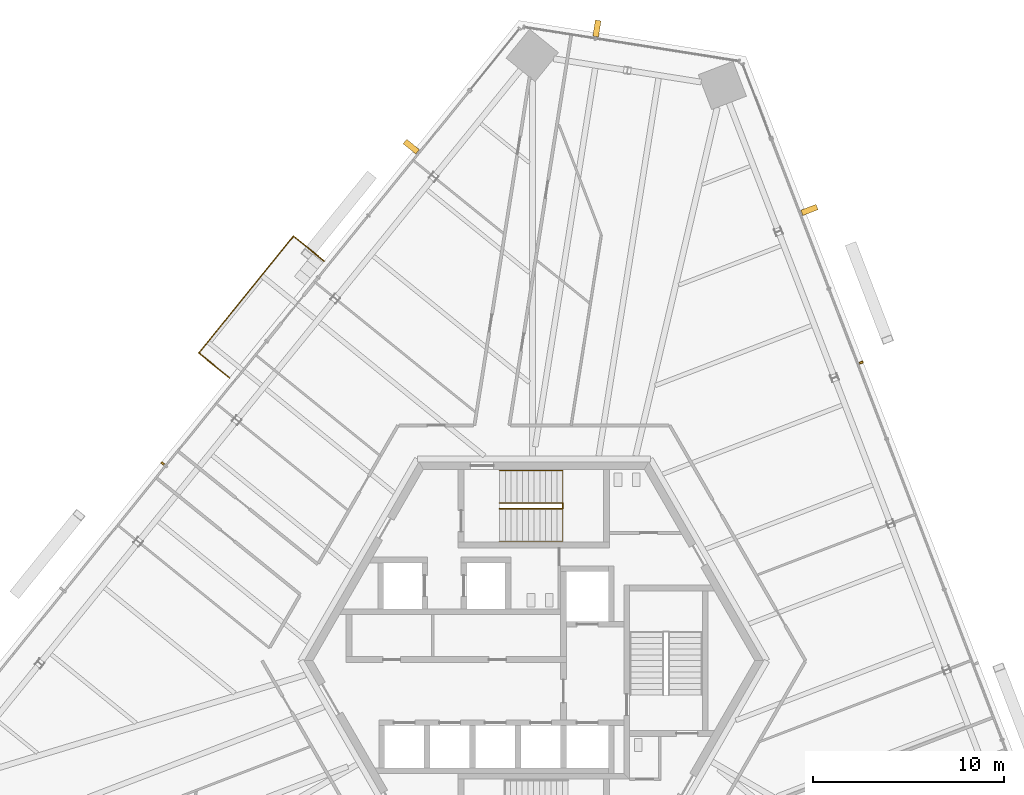
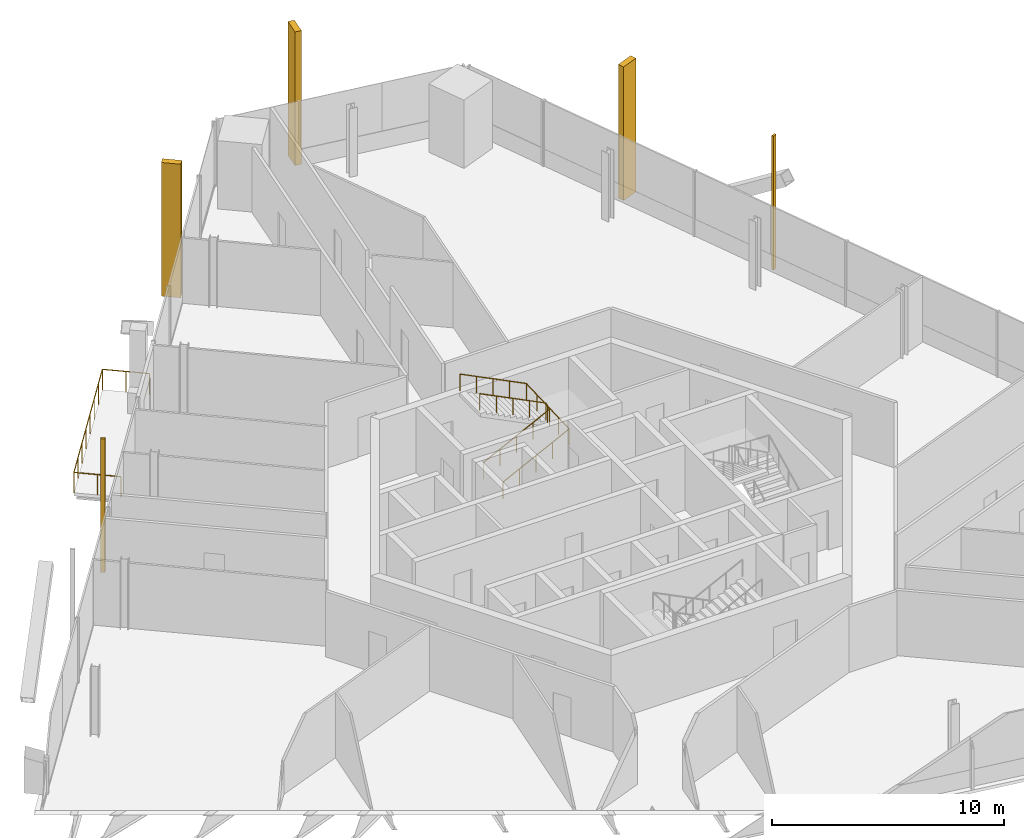
# One storey, part 18 of 21: 5 shading devices, 3 railings.
"""IFC4 building model written with IfcOpenShell, lengths in metres."""

from ifc_helpers import new_model, si_unit, direction, frame, origin, origin_2d, place, context, subcontext, project, spatial, rectangle, circle, extrude, source, transform, mapped, material, type_object, element, save


model = new_model("IFC4")

# Units and contexts
model_context = context("Model", 3, precision=1e-05, world=origin(), true_north=direction((0.0, 1.0)))
body_context = subcontext(model_context, "Body", "Model", "MODEL_VIEW")
ifc_project = project(units=[si_unit("LENGTHUNIT", "METRE"), si_unit("AREAUNIT", "SQUARE_METRE"), si_unit("VOLUMEUNIT", "CUBIC_METRE"), si_unit("PLANEANGLEUNIT", "RADIAN"), si_unit("MASSUNIT", "GRAM", prefix="KILO")], contexts=[model_context])

# Site, building, storey
site_placement = place(None, origin())
site = spatial("IfcSite", under=ifc_project, at=site_placement, CompositionType="ELEMENT")
building_placement = place(site_placement, origin())
building = spatial("IfcBuilding", under=site, at=building_placement, Name="Triune Harvest Tower", CompositionType="ELEMENT")
storey_placement = place(building_placement, frame((0.0, 0.0, 146.10009765625)))
storey = spatial("IfcBuildingStorey", under=building, at=storey_placement, Name="L37", CompositionType="ELEMENT", Elevation=146.10009765625)

# Railings
ifc_material_1 = material(Name="Glass", Category="glass")
railing_type_1 = type_object("IfcRailingType", Name="GD-2 balcony guard 1100", PredefinedType="GUARDRAIL", material=ifc_material_1)
railing_1_placement = place(storey_placement, frame((-10.953125, 20.877197265625, 0.0)))
element("IfcRailing", 1, at=railing_1_placement, inside=storey, type_object=railing_type_1, Name="Balcony guard B4-F3 L37.5", PredefinedType="GUARDRAIL", context=body_context, shape_type="SweptSolid", body=[
    extrude(circle(Radius=0.02392578125, at=origin_2d()), frame((0.0, 0.0, 1.076171875), z_axis=(-0.777087628948, 0.629392418874, 0.0), x_axis=(-0.629392418874, -0.777087628948, 0.0)), (0.0, 0.0, 1.0), 2.061279296875),
    extrude(circle(Radius=0.02392578125, at=origin_2d()), frame((-1.601806640625, 1.29736328125, 1.076171875), z_axis=(-0.629328805281, -0.777139147671, 0.0), x_axis=(0.777139147671, -0.629328805281, 0.0)), (0.0, 0.0, 1.0), 7.852294921875),
    extrude(circle(Radius=0.02392578125, at=origin_2d()), frame((-6.54345703125, -4.804931640625, 1.076171875), z_axis=(0.777087628948, -0.629392418874, 0.0), x_axis=(0.629392418874, 0.777087628948, 0.0)), (0.0, 0.0, 1.0), 2.061279296875),
    extrude(circle(Radius=0.02099609375, at=origin_2d()), origin(), (0.0, 0.0, 1.0), 1.052001953125),
    extrude(circle(Radius=0.02099609375, at=origin_2d()), frame((-0.80078125, 0.648681640625, 0.0)), (0.0, 0.0, 1.0), 1.052001953125),
    extrude(circle(Radius=0.02099609375, at=origin_2d()), frame((-1.601806640625, 1.29736328125, 0.0)), (0.0, 0.0, 1.0), 1.052001953125),
    extrude(circle(Radius=0.02099609375, at=origin_2d()), frame((-2.307861328125, 0.425537109375, 0.0)), (0.0, 0.0, 1.0), 1.052001953125),
    extrude(circle(Radius=0.02099609375, at=origin_2d()), frame((-3.013671875, -0.446044921875, 0.0)), (0.0, 0.0, 1.0), 1.052001953125),
    extrude(circle(Radius=0.02099609375, at=origin_2d()), frame((-3.7197265625, -1.31787109375, 0.0)), (0.0, 0.0, 1.0), 1.052001953125),
    extrude(circle(Radius=0.02099609375, at=origin_2d()), frame((-4.425537109375, -2.189697265625, 0.0)), (0.0, 0.0, 1.0), 1.052001953125),
    extrude(circle(Radius=0.02099609375, at=origin_2d()), frame((-5.131591796875, -3.0615234375, 0.0)), (0.0, 0.0, 1.0), 1.052001953125),
    extrude(circle(Radius=0.02099609375, at=origin_2d()), frame((-5.83740234375, -3.93310546875, 0.0)), (0.0, 0.0, 1.0), 1.052001953125),
    extrude(circle(Radius=0.02099609375, at=origin_2d()), frame((-6.54345703125, -4.804931640625, 0.0)), (0.0, 0.0, 1.0), 1.052001953125),
    extrude(circle(Radius=0.02099609375, at=origin_2d()), frame((-5.74267578125, -5.45361328125, 0.0)), (0.0, 0.0, 1.0), 1.052001953125),
    extrude(circle(Radius=0.02099609375, at=origin_2d()), frame((-4.941650390625, -6.102294921875, 0.0)), (0.0, 0.0, 1.0), 1.052001953125),
])
ifc_material_2 = material(Name="Stainless steel AISI 316", Category="steel")
railing_type_2 = type_object("IfcRailingType", Name="Stair handrail", PredefinedType="HANDRAIL", material=ifc_material_2)
shared_shape_1 = source(origin(), body_context, "Body", "SweptSolid", [
    extrude(circle(Radius=0.02392578125, at=origin_2d()), frame((0.0, 0.0, 0.8759765625), z_axis=(0.894440424912, 0.0, 0.447187126696), x_axis=(0.0, 1.0, 0.0)), (0.0, 0.0, 1.0), 3.689453125),
    extrude(circle(Radius=0.02392578125, at=origin_2d()), frame((3.300048828125, 0.0, 2.52587890625), z_axis=(0.0, 0.999177620331, 0.040547293732), x_axis=(-1.0, 0.0, 0.0)), (0.0, 0.0, 1.0), 3.702880859375),
    extrude(circle(Radius=0.02392578125, at=origin_2d()), frame((3.300048828125, 3.699951171875, 2.67578125), z_axis=(-0.894440424912, 0.0, 0.447187126696), x_axis=(0.0, -1.0, 0.0)), (0.0, 0.0, 1.0), 3.689453125),
    extrude(circle(Radius=0.02099609375, at=origin_2d()), origin(), (0.0, 0.0, 1.0), 0.851806640625),
    extrude(circle(Radius=0.02099609375, at=origin_2d()), frame((0.824951171875, 0.0, 0.41259765625)), (0.0, 0.0, 1.0), 0.851806640625),
    extrude(circle(Radius=0.02099609375, at=origin_2d()), frame((1.64990234375, 0.0, 0.824951171875)), (0.0, 0.0, 1.0), 0.851806640625),
    extrude(circle(Radius=0.02099609375, at=origin_2d()), frame((2.47509765625, 0.0, 1.2373046875)), (0.0, 0.0, 1.0), 0.851806640625),
    extrude(circle(Radius=0.02099609375, at=origin_2d()), frame((3.300048828125, 0.0, 1.64990234375)), (0.0, 0.0, 1.0), 0.851806640625),
    extrude(circle(Radius=0.02099609375, at=origin_2d()), frame((3.300048828125, 0.925048828125, 1.6875)), (0.0, 0.0, 1.0), 0.851806640625),
    extrude(circle(Radius=0.02099609375, at=origin_2d()), frame((3.300048828125, 1.85009765625, 1.72509765625)), (0.0, 0.0, 1.0), 0.851806640625),
    extrude(circle(Radius=0.02099609375, at=origin_2d()), frame((3.300048828125, 2.77490234375, 1.762451171875)), (0.0, 0.0, 1.0), 0.851806640625),
    extrude(circle(Radius=0.02099609375, at=origin_2d()), frame((3.300048828125, 3.699951171875, 1.800048828125)), (0.0, 0.0, 1.0), 0.851806640625),
    extrude(circle(Radius=0.02099609375, at=origin_2d()), frame((2.47509765625, 3.699951171875, 2.21240234375)), (0.0, 0.0, 1.0), 0.851806640625),
    extrude(circle(Radius=0.02099609375, at=origin_2d()), frame((1.64990234375, 3.699951171875, 2.625)), (0.0, 0.0, 1.0), 0.851806640625),
    extrude(circle(Radius=0.02099609375, at=origin_2d()), frame((0.824951171875, 3.699951171875, 3.03759765625)), (0.0, 0.0, 1.0), 0.851806640625),
    extrude(circle(Radius=0.02099609375, at=origin_2d()), frame((0.0, 3.699951171875, 3.449951171875)), (0.0, 0.0, 1.0), 0.851806640625),
])
railing_2_placement = place(storey_placement, frame((-1.7900390625, 6.239990234375, 0.14990234375)))
element("IfcRailing", 2, at=railing_2_placement, inside=storey, type_object=railing_type_2, Name="Exit stair north wall handrail", PredefinedType="HANDRAIL", context=body_context, shape_type="MappedRepresentation", body=[
    mapped(shared_shape_1, transform((0.0, 0.0, 0.0), scale=1.0)),
])
shared_shape_2 = source(origin(), body_context, "Body", "SweptSolid", [
    extrude(circle(Radius=0.02392578125, at=origin_2d()), frame((0.0, 0.0, 0.8759765625), z_axis=(0.894440424912, 0.0, 0.447187126696), x_axis=(0.0, 1.0, 0.0)), (0.0, 0.0, 1.0), 3.689453125),
    extrude(circle(Radius=0.02392578125, at=origin_2d()), frame((3.300048828125, 0.0, 2.52587890625), z_axis=(0.0, 0.894281613681, 0.447504631744), x_axis=(-1.0, 0.0, 0.0)), (0.0, 0.0, 1.0), 0.33544921875),
    extrude(circle(Radius=0.02392578125, at=origin_2d()), frame((3.300048828125, 0.300048828125, 2.67578125), z_axis=(-0.894440424912, 0.0, 0.447187126696), x_axis=(0.0, -1.0, 0.0)), (0.0, 0.0, 1.0), 3.689453125),
    extrude(circle(Radius=0.02099609375, at=origin_2d()), origin(), (0.0, 0.0, 1.0), 0.851806640625),
    extrude(circle(Radius=0.02099609375, at=origin_2d()), frame((0.824951171875, 0.0, 0.41259765625)), (0.0, 0.0, 1.0), 0.851806640625),
    extrude(circle(Radius=0.02099609375, at=origin_2d()), frame((1.64990234375, 0.0, 0.824951171875)), (0.0, 0.0, 1.0), 0.851806640625),
    extrude(circle(Radius=0.02099609375, at=origin_2d()), frame((2.47509765625, 0.0, 1.2373046875)), (0.0, 0.0, 1.0), 0.851806640625),
    extrude(circle(Radius=0.02099609375, at=origin_2d()), frame((3.300048828125, 0.0, 1.64990234375)), (0.0, 0.0, 1.0), 0.851806640625),
    extrude(circle(Radius=0.02099609375, at=origin_2d()), frame((3.300048828125, 0.300048828125, 1.800048828125)), (0.0, 0.0, 1.0), 0.851806640625),
    extrude(circle(Radius=0.02099609375, at=origin_2d()), frame((2.47509765625, 0.300048828125, 2.21240234375)), (0.0, 0.0, 1.0), 0.851806640625),
    extrude(circle(Radius=0.02099609375, at=origin_2d()), frame((1.64990234375, 0.300048828125, 2.625)), (0.0, 0.0, 1.0), 0.851806640625),
    extrude(circle(Radius=0.02099609375, at=origin_2d()), frame((0.824951171875, 0.300048828125, 3.03759765625)), (0.0, 0.0, 1.0), 0.851806640625),
    extrude(circle(Radius=0.02099609375, at=origin_2d()), frame((0.0, 0.300048828125, 3.449951171875)), (0.0, 0.0, 1.0), 0.851806640625),
])
railing_3_placement = place(storey_placement, frame((-1.7900390625, 7.93994140625, 0.14990234375)))
element("IfcRailing", 3, at=railing_3_placement, inside=storey, type_object=railing_type_2, Name="Exit stair north centre handrail", PredefinedType="HANDRAIL", context=body_context, shape_type="MappedRepresentation", body=[
    mapped(shared_shape_2, transform((0.0, 0.0, 0.0), scale=1.0)),
])

# Shading devices
ifc_material_3 = material(Name="Aluminium bronze anodised", Category="aluminium")
shared_shape_3 = source(origin(), body_context, "Body", "SweptSolid", [
    extrude(rectangle(XDim=0.10009765625, YDim=0.199951171875, at=origin_2d()), origin(), (0.0, 0.0, 1.0), 7.0400390625),
])
for number, where, z_axis, x_axis, name in (
    (4, (17.1044921875, 15.57666015625, 0.0), (0.0, 0.0, 1.0), (-0.35836927228, 0.933579918746, 0.0), "FN-1 fin B4-F1.9 L37"),
    (5, (-19.38818359375, 10.3017578125, 0.0), (0.0, 0.0, 1.0), (-0.629321459087, -0.777145096577, 0.0), "FN-1 fin B4-F3.8 L37"),
):
    element("IfcShadingDevice", number, at=place(storey_placement, frame(where, z_axis=z_axis, x_axis=x_axis)), inside=storey, material=ifc_material_3, Name=name, ObjectType="FIN", PredefinedType="USERDEFINED", context=body_context, shape_type="MappedRepresentation", body=[
        mapped(shared_shape_3, transform((0.0, 0.0, 0.0), scale=1.0)),
    ])
shared_shape_4 = source(origin(), body_context, "Body", "SweptSolid", [
    extrude(rectangle(XDim=0.300048828125, YDim=0.85009765625, at=origin_2d()), origin(), (0.0, 0.0, 1.0), 7.0400390625),
])
for number, where, z_axis, x_axis, name in (
    (6, (14.393310546875, 23.546630859375, 0.0), (0.0, 0.0, 1.0), (-0.35836927228, 0.933579918746, 0.0), "FN-2 fin B4-F1.11 L37"),
    (7, (3.294677734375, 33.025146484375, 0.0), (0.0, 0.0, 1.0), (-0.987688615663, 0.156432728322, 0.0), "FN-2 fin B4-F2.3 L37"),
    (8, (-6.403076171875, 26.853515625, 0.0), (0.0, 0.0, 1.0), (-0.629321459087, -0.777145096577, 0.0), "FN-2 fin B4-F3.3 L37"),
):
    element("IfcShadingDevice", number, at=place(storey_placement, frame(where, z_axis=z_axis, x_axis=x_axis)), inside=storey, material=ifc_material_3, Name=name, ObjectType="FIN", PredefinedType="USERDEFINED", context=body_context, shape_type="MappedRepresentation", body=[
        mapped(shared_shape_4, transform((0.0, 0.0, 0.0), scale=1.0)),
    ])

save(model, "model.ifc")
